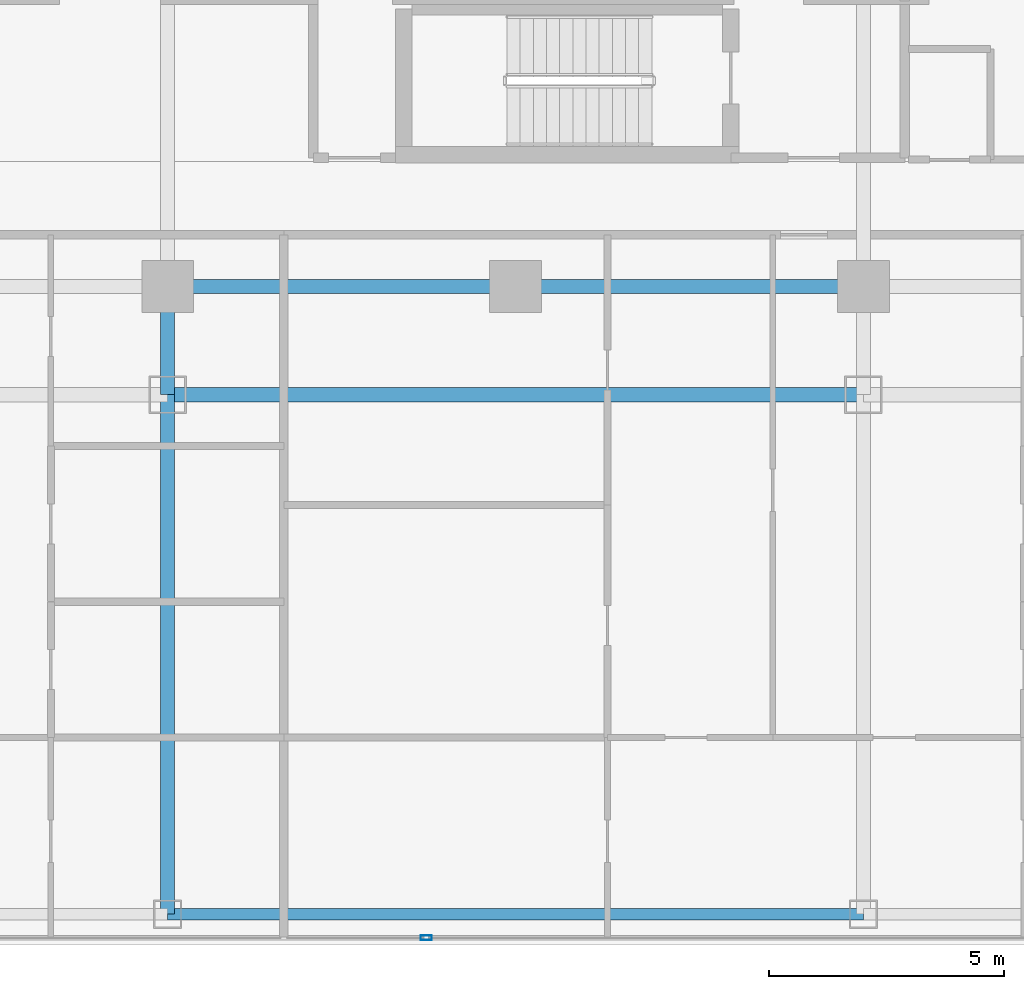
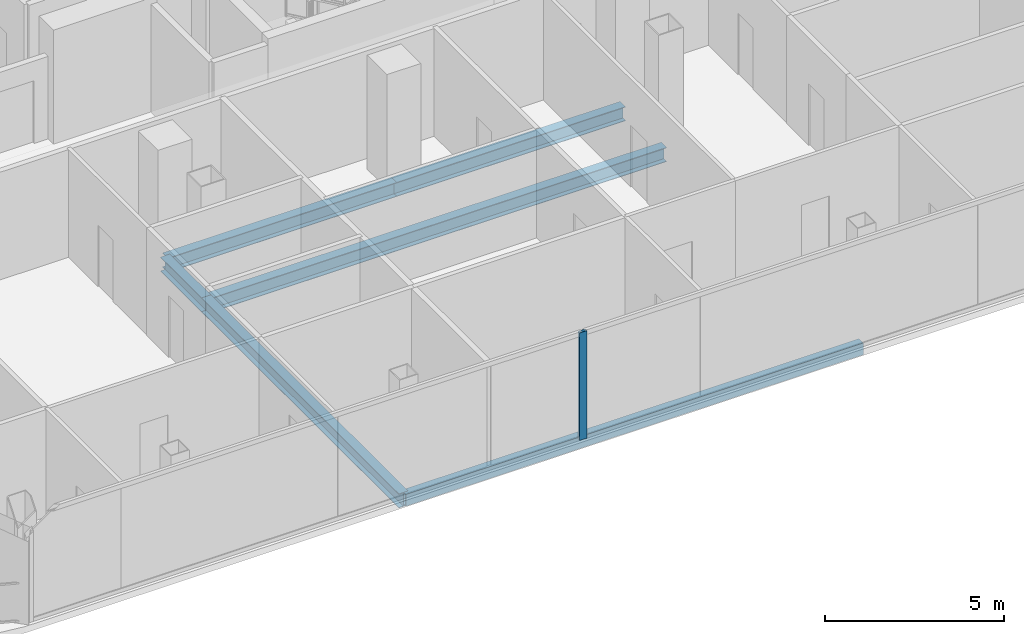
# One storey, part 4 of 23: 6 beams, 1 member, 1 element without a shape of its own.
"""IFC4 building model written with IfcOpenShell, lengths in metres."""

from ifc_helpers import new_model, si_unit, direction, frame, origin, origin_2d, place, context, subcontext, project, spatial, hollow_rectangle, i_section, extrude, material, layer, layer_set, material_profile, profile_set, type_object, element, aggregate, save


model = new_model("IFC4")

# Units and contexts
model_context = context("Model", 3, precision=1e-05, world=origin(), true_north=direction((0.0, 1.0)))
body_context = subcontext(model_context, "Body", "Model", "MODEL_VIEW")
ifc_project = project(units=[si_unit("LENGTHUNIT", "METRE"), si_unit("AREAUNIT", "SQUARE_METRE"), si_unit("VOLUMEUNIT", "CUBIC_METRE"), si_unit("PLANEANGLEUNIT", "RADIAN"), si_unit("MASSUNIT", "GRAM", prefix="KILO")], contexts=[model_context])

# Site, building, storey
site_placement = place(None, origin())
site = spatial("IfcSite", under=ifc_project, at=site_placement, CompositionType="ELEMENT")
building_placement = place(site_placement, origin())
building = spatial("IfcBuilding", under=site, at=building_placement, Name="Khorvyn Point Tower", CompositionType="ELEMENT")
storey_placement = place(building_placement, frame((0.0, 0.0, 195.300048828125)))
storey = spatial("IfcBuildingStorey", under=building, at=storey_placement, Name="L48", CompositionType="ELEMENT", Elevation=195.300048828125)

# Curtain wall, member
ifc_material_1 = material(Name="Anodised aluminium 6063-T6 and laminated Low-E glass", Category="aluminium")
ifc_layer = layer(ifc_material_1, 0.18994140625)
ifc_layer_set = layer_set([ifc_layer], Name="Stick-Built Acoustic Curtain Wall CW-SYS-03")
curtain_wall_type = type_object("IfcCurtainWallType", Name="Stick-Built Acoustic Curtain Wall CW-SYS-03", PredefinedType="NOTDEFINED", material=ifc_layer_set)
curtain_wall_placement = place(storey_placement, origin())
curtain_wall = element("IfcCurtainWall", 1, at=curtain_wall_placement, inside=storey, type_object=curtain_wall_type, Name="Curtain Wall", PredefinedType="NOTDEFINED")
ifc_material_2 = material(Name="Anodised aluminium 6063-T6", Category="aluminium")
ifc_material_profile_1 = material_profile(ifc_material_2, hollow_rectangle(XDim=0.10009765625, YDim=0.239990234375, WallThickness=0.0048828125, at=origin_2d()))
ifc_profile_set_1 = profile_set([ifc_material_profile_1], Name="Anodised aluminium 6063-T6 ALU-MUL-100x240")
member_type = type_object("IfcMemberType", Name="Anodised Aluminium 6063-T6 Mullion ALU-MUL-100x240", PredefinedType="MULLION", material=ifc_profile_set_1)
member_placement = place(storey_placement, frame((-1.89990234375, -28.64990234375, 0.0), z_axis=(0.0, 0.0, 1.0), x_axis=(0.0, -1.0, 0.0)))
member = element("IfcMember", 2, at=member_placement, type_object=member_type, Name="Transom", PredefinedType="MULLION", context=body_context, shape_type="SweptSolid", body=[
    extrude(hollow_rectangle(XDim=0.10009765625, YDim=0.239990234375, WallThickness=0.0048828125, at=origin_2d()), origin(), (0.0, 0.0, 1.0), 3.679931640625),
])
aggregate(curtain_wall, [member])

# Beams
ifc_material_3 = material(Name="Steel S355", Category="steel")
ifc_material_profile_2 = material_profile(ifc_material_3, i_section(OverallWidth=0.300048828125, OverallDepth=0.488037109375, WebThickness=0.010986328125, FlangeThickness=0.01806640625, at=origin_2d()))
ifc_profile_set_2 = profile_set([ifc_material_profile_2], Name="Steel S355 H488x300x11x18")
beam_type_1 = type_object("IfcBeamType", Name="Steel S355 Spandrel H488x300x11x18", PredefinedType="SPANDREL", material=ifc_profile_set_2)
for number, where, z_axis, x_axis, name in (
    (3, (-7.39990234375, -14.800048828125, -0.464111328125), (1.0, 0.0, 0.0), (0.0, 1.0, 0.0), "Beam"),
    (4, (0.0, -14.800048828125, -0.464111328125), (1.0, 0.0, 0.0), (0.0, 1.0, 0.0), "Beam"),
):
    element("IfcBeam", number, at=place(storey_placement, frame(where, z_axis=z_axis, x_axis=x_axis)), inside=storey, type_object=beam_type_1, Name=name, PredefinedType="SPANDREL", context=body_context, shape_type="SweptSolid", body=[
        extrude(i_section(OverallWidth=0.300048828125, OverallDepth=0.488037109375, WebThickness=0.010986328125, FlangeThickness=0.01806640625, at=origin_2d()), origin(), (0.0, 0.0, 1.0), 7.39990234375),
    ])
beam_1_placement = place(storey_placement, frame((-7.39990234375, -17.10009765625, -0.464111328125), z_axis=(1.0, 0.0, 0.0), x_axis=(0.0, 1.0, 0.0)))
element("IfcBeam", 5, at=beam_1_placement, inside=storey, type_object=beam_type_1, Name="Beam", PredefinedType="SPANDREL", context=body_context, shape_type="SweptSolid", body=[
    extrude(i_section(OverallWidth=0.300048828125, OverallDepth=0.488037109375, WebThickness=0.010986328125, FlangeThickness=0.01806640625, at=origin_2d()), origin(), (0.0, 0.0, 1.0), 14.7998046875),
])
beam_2_placement = place(storey_placement, frame((-7.39990234375, -28.14990234375, -0.464111328125), z_axis=(0.0, 1.0, 0.0), x_axis=(-1.0, 0.0, 0.0)))
element("IfcBeam", 6, at=beam_2_placement, inside=storey, type_object=beam_type_1, Name="Beam", PredefinedType="SPANDREL", context=body_context, shape_type="SweptSolid", body=[
    extrude(i_section(OverallWidth=0.300048828125, OverallDepth=0.488037109375, WebThickness=0.010986328125, FlangeThickness=0.01806640625, at=origin_2d()), origin(), (0.0, 0.0, 1.0), 11.0498046875),
])
beam_3_placement = place(storey_placement, frame((-7.39990234375, -17.10009765625, -0.464111328125), z_axis=(0.0, 1.0, 0.0), x_axis=(-1.0, 0.0, 0.0)))
element("IfcBeam", 7, at=beam_3_placement, inside=storey, type_object=beam_type_1, Name="Beam", PredefinedType="SPANDREL", context=body_context, shape_type="SweptSolid", body=[
    extrude(i_section(OverallWidth=0.300048828125, OverallDepth=0.488037109375, WebThickness=0.010986328125, FlangeThickness=0.01806640625, at=origin_2d()), origin(), (0.0, 0.0, 1.0), 2.300048828125),
])
ifc_material_profile_3 = material_profile(ifc_material_3, hollow_rectangle(XDim=0.25, YDim=0.39990234375, WallThickness=0.01611328125, at=origin_2d()))
ifc_profile_set_3 = profile_set([ifc_material_profile_3], Name="Steel S355 RHS400x250x16")
beam_type_2 = type_object("IfcBeamType", Name="Steel S355 Spandrel RHS400x250x16", PredefinedType="SPANDREL", material=ifc_profile_set_3)
beam_4_placement = place(storey_placement, frame((-7.39990234375, -28.14990234375, -0.420166015625), z_axis=(1.0, 0.0, 0.0), x_axis=(0.0, 1.0, 0.0)))
element("IfcBeam", 8, at=beam_4_placement, inside=storey, type_object=beam_type_2, Name="Beam", PredefinedType="SPANDREL", context=body_context, shape_type="SweptSolid", body=[
    extrude(hollow_rectangle(XDim=0.25, YDim=0.39990234375, WallThickness=0.01611328125, at=origin_2d()), origin(), (0.0, 0.0, 1.0), 14.7998046875),
])

save(model, "model.ifc")
